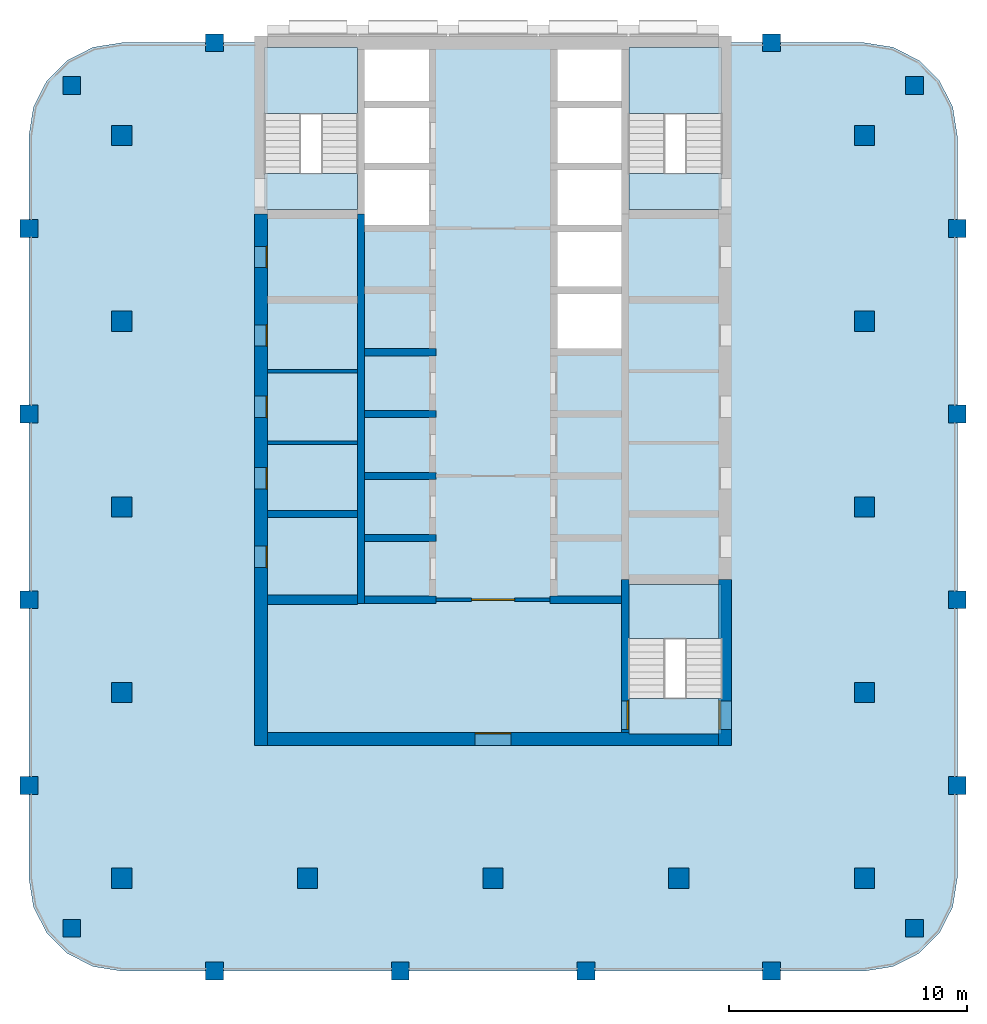
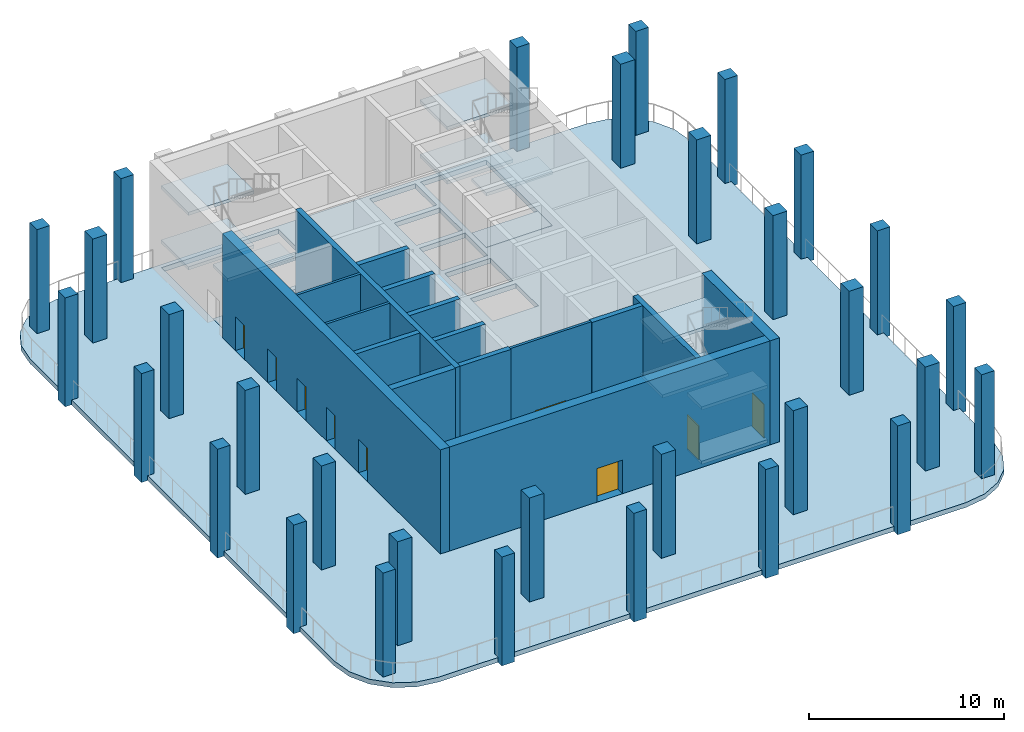
# One storey, part 1 of 10: 31 columns, 16 walls, 13 slabs, 9 doors, 9 openings, 3 elements without a shape of their own.
"""IFC4 building model written with IfcOpenShell, lengths in metres."""

from ifc_helpers import new_model, si_unit, direction, frame, frame_2d, origin, origin_2d, place, context, subcontext, project, spatial, polyline, rectangle, outline, extrude, material, layer, layer_set, material_profile, profile_set, type_object, element, fill, aggregate, save


model = new_model("IFC4")

# Units and contexts
model_context = context("Model", 3, precision=1e-05, world=origin(), true_north=direction((0.0, 1.0)))
body_context = subcontext(model_context, "Body", "Model", "MODEL_VIEW")
ifc_project = project(units=[si_unit("LENGTHUNIT", "METRE"), si_unit("AREAUNIT", "SQUARE_METRE"), si_unit("VOLUMEUNIT", "CUBIC_METRE"), si_unit("PLANEANGLEUNIT", "RADIAN"), si_unit("MASSUNIT", "GRAM", prefix="KILO")], contexts=[model_context])

# Site, building, storey
site_placement = place(None, origin())
site = spatial("IfcSite", under=ifc_project, at=site_placement, CompositionType="ELEMENT")
building_placement = place(site_placement, origin())
building = spatial("IfcBuilding", under=site, at=building_placement, Name="Ludao Terraces", CompositionType="ELEMENT")
storey_placement = place(building_placement, frame((0.0, 0.0, 172.39990234375)))
storey = spatial("IfcBuildingStorey", under=building, at=storey_placement, Name="L47", CompositionType="ELEMENT", Elevation=172.39990234375)

# Columns
ifc_material_1 = material(Name="Concrete C45", Category="concrete")
ifc_material_profile_1 = material_profile(ifc_material_1, rectangle(XDim=0.75, YDim=0.75, at=origin_2d()), Name="750 X 750")
ifc_profile_set_1 = profile_set([ifc_material_profile_1], Name="Concrete C45")
column_type_1 = type_object("IfcColumnType", Name="RC column 750x750 C45", PredefinedType="COLUMN", material=ifc_profile_set_1)
for number, where, z_axis, x_axis, name in (
    (1, (67.300048828125, 47.300048828125, -0.2998046875), (0.0, 0.0, 1.0), (1.0, 0.0, 0.0), "Column L47 C0057x0057"),
    (2, (102.699951171875, 47.300048828125, -0.2998046875), (0.0, 0.0, 1.0), (1.0, 0.0, 0.0), "Column L47 C0411x0057"),
    (3, (67.300048828125, 82.699951171875, -0.2998046875), (0.0, 0.0, 1.0), (1.0, 0.0, 0.0), "Column L47 C0057x0411"),
    (4, (102.699951171875, 82.699951171875, -0.2998046875), (0.0, 0.0, 1.0), (1.0, 0.0, 0.0), "Column L47 C0411x0411"),
    (5, (65.5, 53.300048828125, -0.2998046875), (0.0, 0.0, 1.0), (1.0, 0.0, 0.0), "Column L47 W0039x0117"),
    (6, (104.5, 53.300048828125, -0.2998046875), (0.0, 0.0, 1.0), (1.0, 0.0, 0.0), "Column L47 W0429x0117"),
    (7, (73.300048828125, 45.5, -0.2998046875), (0.0, 0.0, 1.0), (1.0, 0.0, 0.0), "Column L47 W0117x0039"),
    (8, (73.300048828125, 84.5, -0.2998046875), (0.0, 0.0, 1.0), (1.0, 0.0, 0.0), "Column L47 W0117x0429"),
    (9, (65.5, 61.10009765625, -0.2998046875), (0.0, 0.0, 1.0), (1.0, 0.0, 0.0), "Column L47 W0039x0195"),
    (10, (104.5, 61.10009765625, -0.2998046875), (0.0, 0.0, 1.0), (1.0, 0.0, 0.0), "Column L47 W0429x0195"),
    (11, (81.10009765625, 45.5, -0.2998046875), (0.0, 0.0, 1.0), (1.0, 0.0, 0.0), "Column L47 W0195x0039"),
    (12, (65.5, 68.89990234375, -0.2998046875), (0.0, 0.0, 1.0), (1.0, 0.0, 0.0), "Column L47 W0039x0273"),
    (13, (104.5, 68.89990234375, -0.2998046875), (0.0, 0.0, 1.0), (1.0, 0.0, 0.0), "Column L47 W0429x0273"),
    (14, (88.89990234375, 45.5, -0.2998046875), (0.0, 0.0, 1.0), (1.0, 0.0, 0.0), "Column L47 W0273x0039"),
    (15, (65.5, 76.699951171875, -0.2998046875), (0.0, 0.0, 1.0), (1.0, 0.0, 0.0), "Column L47 W0039x0351"),
    (16, (104.5, 76.699951171875, -0.2998046875), (0.0, 0.0, 1.0), (1.0, 0.0, 0.0), "Column L47 W0429x0351"),
    (17, (96.699951171875, 45.5, -0.2998046875), (0.0, 0.0, 1.0), (1.0, 0.0, 0.0), "Column L47 W0351x0039"),
    (18, (96.699951171875, 84.5, -0.2998046875), (0.0, 0.0, 1.0), (1.0, 0.0, 0.0), "Column L47 W0351x0429"),
):
    element("IfcColumn", number, at=place(storey_placement, frame(where, z_axis=z_axis, x_axis=x_axis)), inside=storey, type_object=column_type_1, Name=name, PredefinedType="COLUMN", context=body_context, shape_type="SweptSolid", body=[
        extrude(rectangle(XDim=0.75, YDim=0.75, at=origin_2d()), origin(), (0.0, 0.0, 1.0), 6.7998046875),
    ])
ifc_material_profile_2 = material_profile(ifc_material_1, rectangle(XDim=0.85009765625, YDim=0.85009765625, at=origin_2d()), Name="850 X 850")
ifc_profile_set_2 = profile_set([ifc_material_profile_2], Name="Concrete C45")
column_type_2 = type_object("IfcColumnType", Name="RC column 850x850 C45", PredefinedType="COLUMN", material=ifc_profile_set_2)
for number, where, z_axis, x_axis, name in (
    (19, (69.39990234375, 49.39990234375, -0.2998046875), (0.0, 0.0, 1.0), (1.0, 0.0, 0.0), "Column L47 S0078x0078"),
    (20, (69.39990234375, 57.199951171875, -0.2998046875), (0.0, 0.0, 1.0), (1.0, 0.0, 0.0), "Column L47 S0078x0156"),
    (21, (69.39990234375, 65.0, -0.2998046875), (0.0, 0.0, 1.0), (1.0, 0.0, 0.0), "Column L47 S0078x0234"),
    (22, (69.39990234375, 72.800048828125, -0.2998046875), (0.0, 0.0, 1.0), (1.0, 0.0, 0.0), "Column L47 S0078x0312"),
    (23, (69.39990234375, 80.60009765625, -0.2998046875), (0.0, 0.0, 1.0), (1.0, 0.0, 0.0), "Column L47 S0078x0390"),
    (24, (77.199951171875, 49.39990234375, -0.2998046875), (0.0, 0.0, 1.0), (1.0, 0.0, 0.0), "Column L47 S0156x0078"),
    (25, (85.0, 49.39990234375, -0.2998046875), (0.0, 0.0, 1.0), (1.0, 0.0, 0.0), "Column L47 S0234x0078"),
    (26, (92.800048828125, 49.39990234375, -0.2998046875), (0.0, 0.0, 1.0), (1.0, 0.0, 0.0), "Column L47 S0312x0078"),
    (27, (100.60009765625, 49.39990234375, -0.2998046875), (0.0, 0.0, 1.0), (1.0, 0.0, 0.0), "Column L47 S0390x0078"),
    (28, (100.60009765625, 57.199951171875, -0.2998046875), (0.0, 0.0, 1.0), (1.0, 0.0, 0.0), "Column L47 S0390x0156"),
    (29, (100.60009765625, 65.0, -0.2998046875), (0.0, 0.0, 1.0), (1.0, 0.0, 0.0), "Column L47 S0390x0234"),
    (30, (100.60009765625, 72.800048828125, -0.2998046875), (0.0, 0.0, 1.0), (1.0, 0.0, 0.0), "Column L47 S0390x0312"),
    (31, (100.60009765625, 80.60009765625, -0.2998046875), (0.0, 0.0, 1.0), (1.0, 0.0, 0.0), "Column L47 S0390x0390"),
):
    element("IfcColumn", number, at=place(storey_placement, frame(where, z_axis=z_axis, x_axis=x_axis)), inside=storey, type_object=column_type_2, Name=name, PredefinedType="COLUMN", context=body_context, shape_type="SweptSolid", body=[
        extrude(rectangle(XDim=0.85009765625, YDim=0.85009765625, at=origin_2d()), origin(), (0.0, 0.0, 1.0), 6.7998046875),
    ])

# Slab
ifc_material_2 = material(Name="Concrete C40", Category="concrete")
ifc_layer_1 = layer(ifc_material_2, 0.300048828125)
ifc_layer_set_1 = layer_set([ifc_layer_1], Name="Floor slab 300 C40")
slab_type_1 = type_object("IfcSlabType", Name="Floor slab 300 C40", PredefinedType="FLOOR", material=ifc_layer_set_1)
slab_1_placement = place(storey_placement, frame((0.0, 0.0, -0.2998046875)))
element("IfcSlab", 32, at=slab_1_placement, inside=storey, type_object=slab_type_1, Name="Slab L47", PredefinedType="FLOOR", context=body_context, shape_type="SweptSolid", body=[
    extrude(outline(polyline([(100.60009765625, 45.5), (101.80517578125, 45.69091796875), (102.892333984375, 46.244873046875), (103.755126953125, 47.107666015625), (104.30908203125, 48.19482421875), (104.5, 49.39990234375), (104.5, 80.60009765625), (104.30908203125, 81.80517578125), (103.755126953125, 82.892333984375), (102.892333984375, 83.755126953125), (101.80517578125, 84.30908203125), (100.60009765625, 84.5), (69.39990234375, 84.5), (68.19482421875, 84.30908203125), (67.107666015625, 83.755126953125), (66.244873046875, 82.892333984375), (65.69091796875, 81.80517578125), (65.5, 80.60009765625), (65.5, 49.39990234375), (65.69091796875, 48.19482421875), (66.244873046875, 47.107666015625), (67.107666015625, 46.244873046875), (68.19482421875, 45.69091796875), (69.39990234375, 45.5), (100.60009765625, 45.5)]), holes=[polyline([(79.60009765625, 76.85009765625), (82.300048828125, 76.85009765625), (82.300048828125, 79.14990234375), (79.60009765625, 79.14990234375), (79.60009765625, 76.85009765625)]), polyline([(79.60009765625, 79.449951171875), (82.300048828125, 79.449951171875), (82.300048828125, 81.75), (79.60009765625, 81.75), (79.60009765625, 79.449951171875)]), polyline([(79.60009765625, 82.050048828125), (82.300048828125, 82.050048828125), (82.300048828125, 84.239990234375), (79.60009765625, 84.239990234375), (79.60009765625, 82.050048828125)]), polyline([(87.699951171875, 71.64990234375), (90.39990234375, 71.64990234375), (90.39990234375, 73.949951171875), (87.699951171875, 73.949951171875), (87.699951171875, 71.64990234375)]), polyline([(87.699951171875, 74.25), (90.39990234375, 74.25), (90.39990234375, 76.550048828125), (87.699951171875, 76.550048828125), (87.699951171875, 74.25)]), polyline([(87.699951171875, 76.85009765625), (90.39990234375, 76.85009765625), (90.39990234375, 79.14990234375), (87.699951171875, 79.14990234375), (87.699951171875, 76.85009765625)]), polyline([(87.699951171875, 79.449951171875), (90.39990234375, 79.449951171875), (90.39990234375, 81.75), (87.699951171875, 81.75), (87.699951171875, 79.449951171875)]), polyline([(87.699951171875, 82.050048828125), (90.39990234375, 82.050048828125), (90.39990234375, 84.239990234375), (87.699951171875, 84.239990234375), (87.699951171875, 82.050048828125)]), polyline([(75.39990234375, 77.5), (79.300048828125, 77.5), (79.300048828125, 84.239990234375), (75.39990234375, 84.239990234375), (75.39990234375, 77.5)]), polyline([(90.699951171875, 77.5), (94.60009765625, 77.5), (94.60009765625, 84.239990234375), (90.699951171875, 84.239990234375), (90.699951171875, 77.5)]), polyline([(90.699951171875, 55.449951171875), (94.60009765625, 55.449951171875), (94.60009765625, 61.75), (90.699951171875, 61.75), (90.699951171875, 55.449951171875)])]), origin(), (0.0, 0.0, 1.0), 0.2998046875),
])

# Stair, slabs
stair_type = type_object("IfcStairType", Name="INT Stair", PredefinedType="HALF_TURN_STAIR", material=ifc_material_2)
stair_1_placement = place(storey_placement, origin())
stair_1 = element("IfcStair", 33, at=stair_1_placement, inside=storey, type_object=stair_type, Name="EXIT STAIR 1", PredefinedType="HALF_TURN_STAIR")
ifc_layer_2 = layer(ifc_material_2, 0.199951171875)
ifc_layer_set_2 = layer_set([ifc_layer_2], Name="INT Stair landing 200")
slab_type_2 = type_object("IfcSlabType", Name="INT Stair landing 200", PredefinedType="LANDING", material=ifc_layer_set_2)
slab_2_placement = place(storey_placement, frame((0.0, 0.0, 1.5)))
slab_2 = element("IfcSlab", 34, at=slab_2_placement, type_object=slab_type_2, Name="ST1 landing 1", PredefinedType="LANDING", context=body_context, shape_type="SweptSolid", body=[
    extrude(outline(polyline([(75.39990234375, 81.52001953125), (79.300048828125, 81.52001953125), (79.300048828125, 84.300048828125), (75.39990234375, 84.300048828125), (75.39990234375, 81.52001953125)])), origin(), (0.0, 0.0, 1.0), 0.2001953125),
])
slab_3_placement = place(storey_placement, frame((0.0, 0.0, 3.2001953125)))
slab_3 = element("IfcSlab", 35, at=slab_3_placement, type_object=slab_type_2, Name="ST1 landing 2", PredefinedType="LANDING", context=body_context, shape_type="SweptSolid", body=[
    extrude(outline(polyline([(75.39990234375, 77.5), (79.300048828125, 77.5), (79.300048828125, 79.0), (75.39990234375, 79.0), (75.39990234375, 77.5)])), origin(), (0.0, 0.0, 1.0), 0.199951171875),
])
slab_4_placement = place(storey_placement, frame((0.0, 0.0, 4.900146484375)))
slab_4 = element("IfcSlab", 36, at=slab_4_placement, type_object=slab_type_2, Name="ST1 landing 3", PredefinedType="LANDING", context=body_context, shape_type="SweptSolid", body=[
    extrude(outline(polyline([(75.39990234375, 81.52001953125), (79.300048828125, 81.52001953125), (79.300048828125, 84.300048828125), (75.39990234375, 84.300048828125), (75.39990234375, 81.52001953125)])), origin(), (0.0, 0.0, 1.0), 0.199951171875),
])
slab_5_placement = place(storey_placement, frame((0.0, 0.0, -0.199951171875)))
slab_5 = element("IfcSlab", 37, at=slab_5_placement, type_object=slab_type_2, Name="ST1 landing 4", PredefinedType="LANDING", context=body_context, shape_type="SweptSolid", body=[
    extrude(outline(polyline([(75.39990234375, 77.5), (79.300048828125, 77.5), (79.300048828125, 79.0), (75.39990234375, 79.0), (75.39990234375, 77.5)])), origin(), (0.0, 0.0, 1.0), 0.199951171875),
])
aggregate(stair_1, [slab_2, slab_3, slab_4, slab_5])

stair_2_placement = place(storey_placement, origin())
stair_2 = element("IfcStair", 38, at=stair_2_placement, inside=storey, type_object=stair_type, Name="EXIT STAIR 2", PredefinedType="HALF_TURN_STAIR")
slab_6_placement = place(storey_placement, frame((0.0, 0.0, 1.5)))
slab_6 = element("IfcSlab", 39, at=slab_6_placement, type_object=slab_type_2, Name="ST2 landing 1", PredefinedType="LANDING", context=body_context, shape_type="SweptSolid", body=[
    extrude(outline(polyline([(90.699951171875, 81.52001953125), (94.60009765625, 81.52001953125), (94.60009765625, 84.300048828125), (90.699951171875, 84.300048828125), (90.699951171875, 81.52001953125)])), origin(), (0.0, 0.0, 1.0), 0.2001953125),
])
slab_7_placement = place(storey_placement, frame((0.0, 0.0, 3.2001953125)))
slab_7 = element("IfcSlab", 40, at=slab_7_placement, type_object=slab_type_2, Name="ST2 landing 2", PredefinedType="LANDING", context=body_context, shape_type="SweptSolid", body=[
    extrude(outline(polyline([(90.699951171875, 77.5), (94.60009765625, 77.5), (94.60009765625, 79.0), (90.699951171875, 79.0), (90.699951171875, 77.5)])), origin(), (0.0, 0.0, 1.0), 0.199951171875),
])
slab_8_placement = place(storey_placement, frame((0.0, 0.0, 4.900146484375)))
slab_8 = element("IfcSlab", 41, at=slab_8_placement, type_object=slab_type_2, Name="ST2 landing 3", PredefinedType="LANDING", context=body_context, shape_type="SweptSolid", body=[
    extrude(outline(polyline([(90.699951171875, 81.52001953125), (94.60009765625, 81.52001953125), (94.60009765625, 84.300048828125), (90.699951171875, 84.300048828125), (90.699951171875, 81.52001953125)])), origin(), (0.0, 0.0, 1.0), 0.199951171875),
])
slab_9_placement = place(storey_placement, frame((0.0, 0.0, -0.199951171875)))
slab_9 = element("IfcSlab", 42, at=slab_9_placement, type_object=slab_type_2, Name="ST2 landing 4", PredefinedType="LANDING", context=body_context, shape_type="SweptSolid", body=[
    extrude(outline(polyline([(90.699951171875, 77.5), (94.60009765625, 77.5), (94.60009765625, 79.0), (90.699951171875, 79.0), (90.699951171875, 77.5)])), origin(), (0.0, 0.0, 1.0), 0.199951171875),
])
aggregate(stair_2, [slab_6, slab_7, slab_8, slab_9])

stair_3_placement = place(storey_placement, origin())
stair_3 = element("IfcStair", 43, at=stair_3_placement, inside=storey, type_object=stair_type, Name="EXIT STAIR 3", PredefinedType="HALF_TURN_STAIR")
slab_10_placement = place(storey_placement, frame((0.0, 0.0, 1.5)))
slab_10 = element("IfcSlab", 44, at=slab_10_placement, type_object=slab_type_2, Name="ST3 landing 1", PredefinedType="LANDING", context=body_context, shape_type="SweptSolid", body=[
    extrude(outline(polyline([(90.699951171875, 59.469970703125), (94.60009765625, 59.469970703125), (94.60009765625, 61.75), (90.699951171875, 61.75), (90.699951171875, 59.469970703125)])), origin(), (0.0, 0.0, 1.0), 0.2001953125),
])
slab_11_placement = place(storey_placement, frame((0.0, 0.0, 3.2001953125)))
slab_11 = element("IfcSlab", 45, at=slab_11_placement, type_object=slab_type_2, Name="ST3 landing 2", PredefinedType="LANDING", context=body_context, shape_type="SweptSolid", body=[
    extrude(outline(polyline([(90.699951171875, 55.449951171875), (94.60009765625, 55.449951171875), (94.60009765625, 56.949951171875), (90.699951171875, 56.949951171875), (90.699951171875, 55.449951171875)])), origin(), (0.0, 0.0, 1.0), 0.199951171875),
])
slab_12_placement = place(storey_placement, frame((0.0, 0.0, 4.900146484375)))
slab_12 = element("IfcSlab", 46, at=slab_12_placement, type_object=slab_type_2, Name="ST3 landing 3", PredefinedType="LANDING", context=body_context, shape_type="SweptSolid", body=[
    extrude(outline(polyline([(90.699951171875, 59.469970703125), (94.60009765625, 59.469970703125), (94.60009765625, 61.75), (90.699951171875, 61.75), (90.699951171875, 59.469970703125)])), origin(), (0.0, 0.0, 1.0), 0.199951171875),
])
slab_13_placement = place(storey_placement, frame((0.0, 0.0, -0.199951171875)))
slab_13 = element("IfcSlab", 47, at=slab_13_placement, type_object=slab_type_2, Name="ST3 landing 4", PredefinedType="LANDING", context=body_context, shape_type="SweptSolid", body=[
    extrude(outline(polyline([(90.699951171875, 55.449951171875), (94.60009765625, 55.449951171875), (94.60009765625, 56.949951171875), (90.699951171875, 56.949951171875), (90.699951171875, 55.449951171875)])), origin(), (0.0, 0.0, 1.0), 0.199951171875),
])
aggregate(stair_3, [slab_10, slab_11, slab_12, slab_13])

# Wall, openings, doors
ifc_material_3 = material(Name="Concrete C60", Category="concrete")
ifc_layer_3 = layer(ifc_material_3, 0.550048828125)
ifc_layer_set_3 = layer_set([ifc_layer_3], Name="Core wall 550 C60")
wall_type_1 = type_object("IfcWallType", Name="Core wall 550 C60", PredefinedType="SOLIDWALL", material=ifc_layer_set_3)
wall_1_placement = place(storey_placement, frame((75.25, 54.97509765625, -0.2998046875), z_axis=(0.0, 0.0, 1.0), x_axis=(0.0, 1.0, 0.0)))
wall_1 = element("IfcWall", 48, at=wall_1_placement, inside=storey, type_object=wall_type_1, Name="Core wall L47 outer-W", PredefinedType="SOLIDWALL", context=body_context, shape_type="SweptSolid", body=[
    extrude(rectangle(XDim=22.324951171875, YDim=0.550048828125, at=frame_2d((11.16259765625, 0.0))), origin(), (0.0, 0.0, 1.0), 6.7998046875),
])
opening_1_placement = place(wall_1_placement, frame((7.47509765625, 0.0, 0.300048828125)))
opening_1 = element("IfcOpeningElement", 49, at=opening_1_placement, cuts=wall_1, Name="Opening L47-007", PredefinedType="OPENING", context=body_context, shape_type="SweptSolid", body=[
    extrude(rectangle(XDim=0.89990234375, YDim=2.10009765625, at=frame_2d((0.449951171875, 1.050048828125))), frame((0.0, 0.28515625, 0.0), z_axis=(0.0, -1.0, 0.0), x_axis=(1.0, 0.0, 0.0)), (0.0, 0.0, 1.0), 0.570068359375),
])
opening_2_placement = place(wall_1_placement, frame((10.77490234375, 0.0, 0.300048828125)))
opening_2 = element("IfcOpeningElement", 50, at=opening_2_placement, cuts=wall_1, Name="Opening L47-011", PredefinedType="OPENING", context=body_context, shape_type="SweptSolid", body=[
    extrude(rectangle(XDim=0.89990234375, YDim=2.10009765625, at=frame_2d((0.449951171875, 1.050048828125))), frame((0.0, 0.28515625, 0.0), z_axis=(0.0, -1.0, 0.0), x_axis=(1.0, 0.0, 0.0)), (0.0, 0.0, 1.0), 0.570068359375),
])
opening_3_placement = place(wall_1_placement, frame((13.77490234375, 0.0, 0.300048828125)))
opening_3 = element("IfcOpeningElement", 51, at=opening_3_placement, cuts=wall_1, Name="Opening L47-016", PredefinedType="OPENING", context=body_context, shape_type="SweptSolid", body=[
    extrude(rectangle(XDim=0.89990234375, YDim=2.10009765625, at=frame_2d((0.449951171875, 1.050048828125))), frame((0.0, 0.28515625, 0.0), z_axis=(0.0, -1.0, 0.0), x_axis=(1.0, 0.0, 0.0)), (0.0, 0.0, 1.0), 0.570068359375),
])
opening_4_placement = place(wall_1_placement, frame((16.77490234375, 0.0, 0.300048828125)))
opening_4 = element("IfcOpeningElement", 52, at=opening_4_placement, cuts=wall_1, Name="Opening L47-020", PredefinedType="OPENING", context=body_context, shape_type="SweptSolid", body=[
    extrude(rectangle(XDim=0.89990234375, YDim=2.10009765625, at=frame_2d((0.449951171875, 1.050048828125))), frame((0.0, 0.28515625, 0.0), z_axis=(0.0, -1.0, 0.0), x_axis=(1.0, 0.0, 0.0)), (0.0, 0.0, 1.0), 0.570068359375),
])
opening_5_placement = place(wall_1_placement, frame((20.074951171875, 0.0, 0.300048828125)))
opening_5 = element("IfcOpeningElement", 53, at=opening_5_placement, cuts=wall_1, Name="Opening L47-024", PredefinedType="OPENING", context=body_context, shape_type="SweptSolid", body=[
    extrude(rectangle(XDim=0.89990234375, YDim=2.10009765625, at=frame_2d((0.449951171875, 1.050048828125))), frame((0.0, 0.28515625, 0.0), z_axis=(0.0, -1.0, 0.0), x_axis=(1.0, 0.0, 0.0)), (0.0, 0.0, 1.0), 0.570068359375),
])
ifc_material_4 = material(Name="Steel Q235", Category="steel")
door_type_1 = type_object("IfcDoorType", Name="INT Riser door 900", OperationType="SINGLE_SWING_LEFT", PredefinedType="DOOR", material=ifc_material_4)
door_1_placement = place(opening_1_placement, origin())
door_1 = element("IfcDoor", 54, at=door_1_placement, inside=storey, type_object=door_type_1, Name="DOOR 007", OperationType="SINGLE_SWING_RIGHT", OverallHeight=2.10009765625, OverallWidth=0.89990234375, PredefinedType="DOOR", context=body_context, shape_type="SweptSolid", body=[
    extrude(rectangle(XDim=0.89990234375, YDim=2.10009765625, at=frame_2d((0.449951171875, 1.050048828125))), frame((0.0, -0.2099609375, 0.0), z_axis=(0.0, -1.0, 0.0), x_axis=(1.0, 0.0, 0.0)), (0.0, 0.0, 1.0), 0.050048828125),
])
fill(opening_1, door_1)
door_2_placement = place(opening_5_placement, origin())
door_2 = element("IfcDoor", 55, at=door_2_placement, inside=storey, type_object=door_type_1, Name="DOOR 024", OperationType="SINGLE_SWING_LEFT", OverallHeight=2.10009765625, OverallWidth=0.89990234375, PredefinedType="DOOR", context=body_context, shape_type="SweptSolid", body=[
    extrude(rectangle(XDim=0.89990234375, YDim=2.10009765625, at=frame_2d((0.449951171875, 1.050048828125))), frame((0.0, -0.2099609375, 0.0), z_axis=(0.0, -1.0, 0.0), x_axis=(1.0, 0.0, 0.0)), (0.0, 0.0, 1.0), 0.050048828125),
])
fill(opening_5, door_2)
ifc_material_5 = material(Name="Timber door leaf", Category="wood")
door_type_2 = type_object("IfcDoorType", Name="INT Room door 900", OperationType="SINGLE_SWING_LEFT", PredefinedType="DOOR", material=ifc_material_5)
door_3_placement = place(opening_2_placement, origin())
door_3 = element("IfcDoor", 56, at=door_3_placement, inside=storey, type_object=door_type_2, Name="DOOR 011", OperationType="SINGLE_SWING_RIGHT", OverallHeight=2.10009765625, OverallWidth=0.89990234375, PredefinedType="DOOR", context=body_context, shape_type="SweptSolid", body=[
    extrude(rectangle(XDim=0.89990234375, YDim=2.10009765625, at=frame_2d((0.449951171875, 1.050048828125))), frame((0.0, -0.2099609375, 0.0), z_axis=(0.0, -1.0, 0.0), x_axis=(1.0, 0.0, 0.0)), (0.0, 0.0, 1.0), 0.050048828125),
])
fill(opening_2, door_3)
door_4_placement = place(opening_3_placement, origin())
door_4 = element("IfcDoor", 57, at=door_4_placement, inside=storey, type_object=door_type_2, Name="DOOR 016", OperationType="SINGLE_SWING_LEFT", OverallHeight=2.10009765625, OverallWidth=0.89990234375, PredefinedType="DOOR", context=body_context, shape_type="SweptSolid", body=[
    extrude(rectangle(XDim=0.89990234375, YDim=2.10009765625, at=frame_2d((0.449951171875, 1.050048828125))), frame((0.0, -0.2099609375, 0.0), z_axis=(0.0, -1.0, 0.0), x_axis=(1.0, 0.0, 0.0)), (0.0, 0.0, 1.0), 0.050048828125),
])
fill(opening_3, door_4)
door_5_placement = place(opening_4_placement, origin())
door_5 = element("IfcDoor", 58, at=door_5_placement, inside=storey, type_object=door_type_2, Name="DOOR 020", OperationType="SINGLE_SWING_LEFT", OverallHeight=2.10009765625, OverallWidth=0.89990234375, PredefinedType="DOOR", context=body_context, shape_type="SweptSolid", body=[
    extrude(rectangle(XDim=0.89990234375, YDim=2.10009765625, at=frame_2d((0.449951171875, 1.050048828125))), frame((0.0, -0.2099609375, 0.0), z_axis=(0.0, -1.0, 0.0), x_axis=(1.0, 0.0, 0.0)), (0.0, 0.0, 1.0), 0.050048828125),
])
fill(opening_4, door_5)

# Wall, opening, door
wall_2_placement = place(storey_placement, frame((94.75, 54.97509765625, -0.2998046875), z_axis=(0.0, 0.0, 1.0), x_axis=(0.0, 1.0, 0.0)))
wall_2 = element("IfcWall", 59, at=wall_2_placement, inside=storey, type_object=wall_type_1, Name="Core wall L47 outer-E-S3", PredefinedType="SOLIDWALL", context=body_context, shape_type="SweptSolid", body=[
    extrude(rectangle(XDim=6.974853515625, YDim=0.550048828125, at=frame_2d((3.4873046875, 0.0))), origin(), (0.0, 0.0, 1.0), 6.7998046875),
])
opening_6_placement = place(wall_2_placement, frame((0.675048828125, 0.0, 0.300048828125)))
opening_6 = element("IfcOpeningElement", 60, at=opening_6_placement, cuts=wall_2, Name="Opening L47-003", PredefinedType="OPENING", context=body_context, shape_type="SweptSolid", body=[
    extrude(rectangle(XDim=1.199951171875, YDim=2.10009765625, at=frame_2d((0.60009765625, 1.050048828125))), frame((0.0, 0.28515625, 0.0), z_axis=(0.0, -1.0, 0.0), x_axis=(1.0, 0.0, 0.0)), (0.0, 0.0, 1.0), 0.570068359375),
])
door_type_3 = type_object("IfcDoorType", Name="INT Stair door 1200", OperationType="DOUBLE_DOOR_SINGLE_SWING", PredefinedType="DOOR", material=ifc_material_4)
door_6_placement = place(opening_6_placement, origin())
door_6 = element("IfcDoor", 61, at=door_6_placement, inside=storey, type_object=door_type_3, Name="DOOR 003", OperationType="DOUBLE_DOOR_SINGLE_SWING", OverallHeight=2.10009765625, OverallWidth=1.199951171875, PredefinedType="DOOR", context=body_context, shape_type="SweptSolid", body=[
    extrude(rectangle(XDim=1.199951171875, YDim=2.10009765625, at=frame_2d((0.60009765625, 1.050048828125))), frame((0.0, 0.26025390625, 0.0), z_axis=(0.0, -1.0, 0.0), x_axis=(1.0, 0.0, 0.0)), (0.0, 0.0, 1.0), 0.050048828125),
])
fill(opening_6, door_6)

wall_3_placement = place(storey_placement, frame((75.52490234375, 55.25, -0.2998046875), z_axis=(0.0, 0.0, 1.0), x_axis=(1.0, 0.0, 0.0)))
wall_3 = element("IfcWall", 62, at=wall_3_placement, inside=storey, type_object=wall_type_1, Name="Core wall L47 outer-S", PredefinedType="SOLIDWALL", context=body_context, shape_type="SweptSolid", body=[
    extrude(rectangle(XDim=18.9501953125, YDim=0.550048828125, at=frame_2d((9.47509765625, 0.0))), origin(), (0.0, 0.0, 1.0), 6.7998046875),
])
opening_7_placement = place(wall_3_placement, frame((8.72509765625, 0.0, 0.300048828125)))
opening_7 = element("IfcOpeningElement", 63, at=opening_7_placement, cuts=wall_3, Name="Opening L47-001", PredefinedType="OPENING", context=body_context, shape_type="SweptSolid", body=[
    extrude(rectangle(XDim=1.5, YDim=2.10009765625, at=frame_2d((0.75, 1.050048828125))), frame((0.0, 0.28515625, 0.0), z_axis=(0.0, -1.0, 0.0), x_axis=(1.0, 0.0, 0.0)), (0.0, 0.0, 1.0), 0.570068359375),
])
door_type_4 = type_object("IfcDoorType", Name="INT Lobby door 1500", OperationType="DOUBLE_DOOR_SINGLE_SWING", PredefinedType="DOOR", material=ifc_material_4)
door_7_placement = place(opening_7_placement, origin())
door_7 = element("IfcDoor", 64, at=door_7_placement, inside=storey, type_object=door_type_4, Name="DOOR 001", OperationType="DOUBLE_DOOR_SINGLE_SWING", OverallHeight=2.10009765625, OverallWidth=1.5, PredefinedType="DOOR", context=body_context, shape_type="SweptSolid", body=[
    extrude(rectangle(XDim=1.5, YDim=2.10009765625, at=frame_2d((0.75, 1.050048828125))), frame((0.0, 0.26025390625, 0.0), z_axis=(0.0, -1.0, 0.0), x_axis=(1.0, 0.0, 0.0)), (0.0, 0.0, 1.0), 0.050048828125),
])
fill(opening_7, door_7)

ifc_material_6 = material(Name="Fire-rated gypsum plasterboard", Category="gypsum")
ifc_layer_4 = layer(ifc_material_6, 0.012451171875, Category="gypsum")
ifc_material_7 = material(Name="Mineral wool")
ifc_layer_5 = layer(ifc_material_7, 0.10009765625, Name="insulation")
ifc_layer_6 = layer(ifc_material_4, 0.02490234375, Name="stud")
ifc_layer_7 = layer(ifc_material_6, 0.012451171875, Category="gypsum")
ifc_layer_set_4 = layer_set([ifc_layer_4, ifc_layer_5, ifc_layer_6, ifc_layer_7], Name="INT Core partition 150")
wall_type_2 = type_object("IfcWallType", Name="INT Core partition 150", PredefinedType="PARTITIONING", material=ifc_layer_set_4)
wall_4_placement = place(storey_placement, frame((82.60009765625, 61.10009765625, 0.0), z_axis=(0.0, 0.0, 1.0), x_axis=(1.0, 0.0, 0.0)))
wall_4 = element("IfcWall", 65, at=wall_4_placement, inside=storey, type_object=wall_type_2, Name="PW-L47-PW000", PredefinedType="PARTITIONING", context=body_context, shape_type="SweptSolid", body=[
    extrude(rectangle(XDim=4.800048828125, YDim=0.14990234375, at=frame_2d((2.39990234375, 0.0))), origin(), (0.0, 0.0, 1.0), 6.5),
])
opening_8_placement = place(wall_4_placement, frame((1.5, 0.0, 0.0)))
opening_8 = element("IfcOpeningElement", 66, at=opening_8_placement, cuts=wall_4, Name="Opening L47-004", PredefinedType="OPENING", context=body_context, shape_type="SweptSolid", body=[
    extrude(rectangle(XDim=1.800048828125, YDim=2.10009765625, at=frame_2d((0.89990234375, 1.050048828125))), frame((0.0, 0.0849609375, 0.0), z_axis=(0.0, -1.0, 0.0), x_axis=(1.0, 0.0, 0.0)), (0.0, 0.0, 1.0), 0.169921875),
])
door_type_5 = type_object("IfcDoorType", Name="INT Fire lobby door 1800", OperationType="DOUBLE_DOOR_SINGLE_SWING", PredefinedType="DOOR", material=ifc_material_4)
door_8_placement = place(opening_8_placement, origin())
door_8 = element("IfcDoor", 67, at=door_8_placement, inside=storey, type_object=door_type_5, Name="DOOR 004", OperationType="DOUBLE_DOOR_SINGLE_SWING", OverallHeight=2.10009765625, OverallWidth=1.800048828125, PredefinedType="DOOR", context=body_context, shape_type="SweptSolid", body=[
    extrude(rectangle(XDim=1.800048828125, YDim=2.10009765625, at=frame_2d((0.89990234375, 1.050048828125))), frame((0.0, 0.02490234375, 0.0), z_axis=(0.0, -1.0, 0.0), x_axis=(1.0, 0.0, 0.0)), (0.0, 0.0, 1.0), 0.050048828125),
])
fill(opening_8, door_8)

# Walls
for number, where, z_axis, x_axis, name in (
    (68, (75.525146484375, 67.699951171875, 0.0), (0.0, 0.0, 1.0), (1.0, 0.0, 0.0), "PW-L47-PW002"),
    (69, (75.525146484375, 70.699951171875, 0.0), (0.0, 0.0, 1.0), (1.0, 0.0, 0.0), "PW-L47-PW004"),
):
    element("IfcWall", number, at=place(storey_placement, frame(where, z_axis=z_axis, x_axis=x_axis)), inside=storey, type_object=wall_type_2, Name=name, PredefinedType="PARTITIONING", context=body_context, shape_type="SweptSolid", body=[
        extrude(rectangle(XDim=3.77490234375, YDim=0.14990234375, at=frame_2d((1.887451171875, 0.0))), origin(), (0.0, 0.0, 1.0), 6.5),
    ])
ifc_material_8 = material(Name="Concrete C55", Category="concrete")
ifc_layer_8 = layer(ifc_material_8, 0.300048828125)
ifc_layer_set_5 = layer_set([ifc_layer_8], Name="Shaft wall 300 C55")
wall_type_3 = type_object("IfcWallType", Name="Shaft wall 300 C55", PredefinedType="SOLIDWALL", material=ifc_layer_set_5)
wall_5_placement = place(storey_placement, frame((79.449951171875, 60.949951171875, -0.2998046875), z_axis=(0.0, 0.0, 1.0), x_axis=(0.0, 1.0, 0.0)))
element("IfcWall", 70, at=wall_5_placement, inside=storey, type_object=wall_type_3, Name="Core wall L47 back-W", PredefinedType="SOLIDWALL", context=body_context, shape_type="SweptSolid", body=[
    extrude(rectangle(XDim=16.35009765625, YDim=0.300048828125, at=frame_2d((8.175048828125, 0.0))), origin(), (0.0, 0.0, 1.0), 6.7998046875),
])

# Wall, opening, door
wall_6_placement = place(storey_placement, frame((90.550048828125, 55.52490234375, -0.2998046875), z_axis=(0.0, 0.0, 1.0), x_axis=(0.0, 1.0, 0.0)))
wall_6 = element("IfcWall", 71, at=wall_6_placement, inside=storey, type_object=wall_type_3, Name="Core wall L47 back-E-S3", PredefinedType="SOLIDWALL", context=body_context, shape_type="SweptSolid", body=[
    extrude(rectangle(XDim=6.425048828125, YDim=0.300048828125, at=frame_2d((3.21240234375, 0.0))), origin(), (0.0, 0.0, 1.0), 6.7998046875),
])
opening_9_placement = place(wall_6_placement, frame((0.125, 0.0, 0.300048828125)))
opening_9 = element("IfcOpeningElement", 72, at=opening_9_placement, cuts=wall_6, Name="Opening L47-002", PredefinedType="OPENING", context=body_context, shape_type="SweptSolid", body=[
    extrude(rectangle(XDim=1.199951171875, YDim=2.10009765625, at=frame_2d((0.60009765625, 1.050048828125))), frame((0.0, 0.16015625, 0.0), z_axis=(0.0, -1.0, 0.0), x_axis=(1.0, 0.0, 0.0)), (0.0, 0.0, 1.0), 0.320068359375),
])
door_9_placement = place(opening_9_placement, origin())
door_9 = element("IfcDoor", 73, at=door_9_placement, inside=storey, type_object=door_type_3, Name="DOOR 002", OperationType="DOUBLE_DOOR_SINGLE_SWING", OverallHeight=2.10009765625, OverallWidth=1.199951171875, PredefinedType="DOOR", context=body_context, shape_type="SweptSolid", body=[
    extrude(rectangle(XDim=1.199951171875, YDim=2.10009765625, at=frame_2d((0.60009765625, 1.050048828125))), frame((0.0, -0.0849609375, 0.0), z_axis=(0.0, -1.0, 0.0), x_axis=(1.0, 0.0, 0.0)), (0.0, 0.0, 1.0), 0.050048828125),
])
fill(opening_9, door_9)

# Walls
for number, where, z_axis, x_axis, name in (
    (74, (79.60009765625, 61.10009765625, -0.2998046875), (0.0, 0.0, 1.0), (1.0, 0.0, 0.0), "Core wall L47 div-W1"),
    (75, (79.60009765625, 63.699951171875, -0.2998046875), (0.0, 0.0, 1.0), (1.0, 0.0, 0.0), "Core wall L47 div-W2"),
    (76, (79.60009765625, 66.300048828125, -0.2998046875), (0.0, 0.0, 1.0), (1.0, 0.0, 0.0), "Core wall L47 div-W3"),
    (77, (79.60009765625, 68.89990234375, -0.2998046875), (0.0, 0.0, 1.0), (1.0, 0.0, 0.0), "Core wall L47 div-W4"),
    (78, (79.60009765625, 71.5, -0.2998046875), (0.0, 0.0, 1.0), (1.0, 0.0, 0.0), "Core wall L47 div-W5"),
    (79, (87.39990234375, 61.10009765625, -0.2998046875), (0.0, 0.0, 1.0), (1.0, 0.0, 0.0), "Core wall L47 div-E1"),
):
    element("IfcWall", number, at=place(storey_placement, frame(where, z_axis=z_axis, x_axis=x_axis)), inside=storey, type_object=wall_type_3, Name=name, PredefinedType="SOLIDWALL", context=body_context, shape_type="SweptSolid", body=[
        extrude(rectangle(XDim=3.0, YDim=0.300048828125, at=frame_2d((1.5, 0.0))), origin(), (0.0, 0.0, 1.0), 6.7998046875),
    ])
wall_7_placement = place(storey_placement, frame((75.52490234375, 64.699951171875, -0.2998046875), z_axis=(0.0, 0.0, 1.0), x_axis=(1.0, 0.0, 0.0)))
element("IfcWall", 80, at=wall_7_placement, inside=storey, type_object=wall_type_3, Name="Core wall L47 riser-a-W", PredefinedType="SOLIDWALL", context=body_context, shape_type="SweptSolid", body=[
    extrude(rectangle(XDim=3.775146484375, YDim=0.300048828125, at=frame_2d((1.8876953125, 0.0))), origin(), (0.0, 0.0, 1.0), 6.7998046875),
])
ifc_layer_9 = layer(ifc_material_8, 0.39990234375)
ifc_layer_set_6 = layer_set([ifc_layer_9], Name="Shaft wall 400 C55")
wall_type_4 = type_object("IfcWallType", Name="Shaft wall 400 C55", PredefinedType="SOLIDWALL", material=ifc_layer_set_6)
wall_8_placement = place(storey_placement, frame((75.52490234375, 61.10009765625, -0.2998046875), z_axis=(0.0, 0.0, 1.0), x_axis=(1.0, 0.0, 0.0)))
element("IfcWall", 81, at=wall_8_placement, inside=storey, type_object=wall_type_4, Name="Core wall L47 hall-W", PredefinedType="SOLIDWALL", context=body_context, shape_type="SweptSolid", body=[
    extrude(rectangle(XDim=3.775146484375, YDim=0.39990234375, at=frame_2d((1.8876953125, 0.0))), origin(), (0.0, 0.0, 1.0), 6.7998046875),
])

save(model, "model.ifc")
